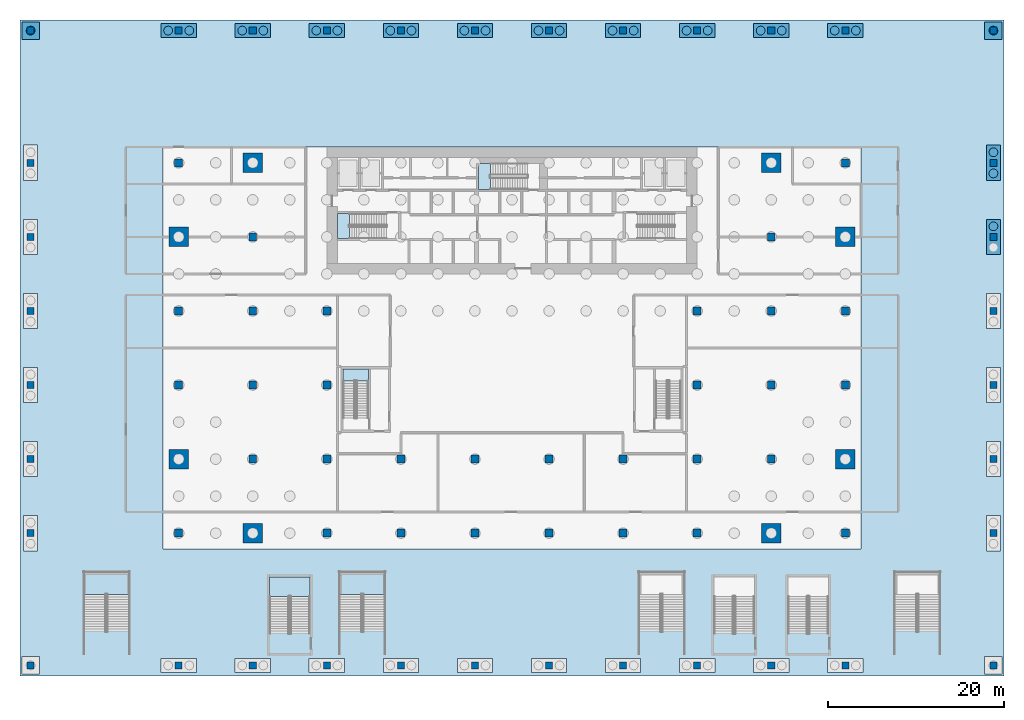
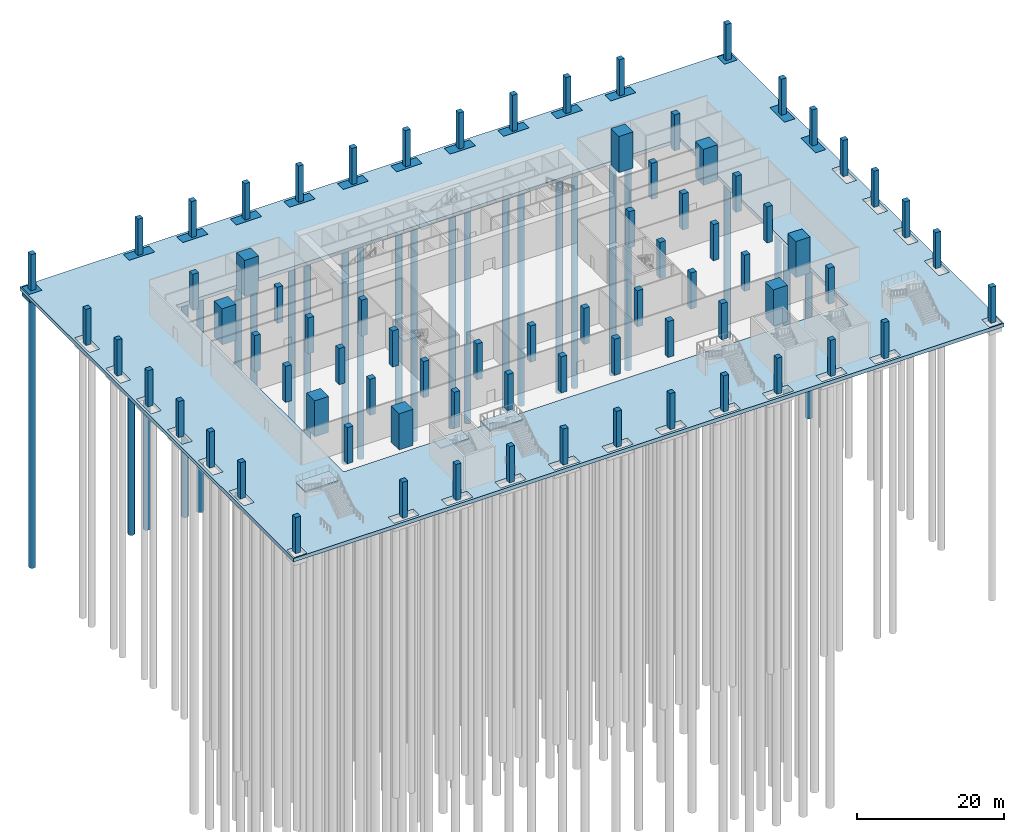
# One storey, part 2 of 16: 76 columns, 25 piles, 14 footings, 7 slabs, 6 elements without a shape of their own.
"""IFC4 building model written with IfcOpenShell, lengths in metres."""

from ifc_helpers import new_model, si_unit, direction, frame, origin, origin_2d, place, context, subcontext, project, spatial, polyline, rectangle, circle, outline, extrude, material, layer, layer_set, material_profile, profile_set, type_object, element, aggregate, save


model = new_model("IFC4")

# Units and contexts
model_context = context("Model", 3, precision=1e-05, world=origin(), true_north=direction((0.0, 1.0)))
body_context = subcontext(model_context, "Body", "Model", "MODEL_VIEW")
ifc_project = project(units=[si_unit("LENGTHUNIT", "METRE"), si_unit("AREAUNIT", "SQUARE_METRE"), si_unit("VOLUMEUNIT", "CUBIC_METRE"), si_unit("PLANEANGLEUNIT", "RADIAN"), si_unit("MASSUNIT", "GRAM", prefix="KILO")], contexts=[model_context])

# Site, building, storey
site_placement = place(None, origin())
site = spatial("IfcSite", under=ifc_project, at=site_placement, CompositionType="ELEMENT")
building_placement = place(site_placement, origin())
building = spatial("IfcBuilding", under=site, at=building_placement, Name="Saffron Gate Tower", CompositionType="ELEMENT")
storey_placement = place(building_placement, frame((0.0, 0.0, -6.0)))
storey = spatial("IfcBuildingStorey", under=building, at=storey_placement, Name="B1", CompositionType="ELEMENT", Elevation=-6.0)

# Piles
ifc_material_1 = material(Name="Concrete C40", Category="concrete")
ifc_material_profile_1 = material_profile(ifc_material_1, circle(Radius=0.5, at=origin_2d()))
ifc_profile_set_1 = profile_set([ifc_material_profile_1], Name="Concrete C40")
pile_type = type_object("IfcPileType", Name="P2 BORED PILE D1000 CONCRETE C40", PredefinedType="BORED", material=ifc_profile_set_1)
for number, where, z_axis, x_axis, name in (
    (1, (33.0, 88.800048828125, -1.10009765625), (0.0, 0.0, -1.0), (1.0, 0.0, 0.0), "P2 BORED PILE"),
    (2, (48.60009765625, 88.800048828125, -1.10009765625), (0.0, 0.0, -1.0), (1.0, 0.0, 0.0), "P2 BORED PILE"),
    (3, (51.0, 88.800048828125, -1.10009765625), (0.0, 0.0, -1.0), (1.0, 0.0, 0.0), "P2 BORED PILE"),
    (4, (57.0, 88.800048828125, -1.10009765625), (0.0, 0.0, -1.0), (1.0, 0.0, 0.0), "P2 BORED PILE"),
    (5, (59.39990234375, 88.800048828125, -1.10009765625), (0.0, 0.0, -1.0), (1.0, 0.0, 0.0), "P2 BORED PILE"),
    (6, (65.39990234375, 88.800048828125, -1.10009765625), (0.0, 0.0, -1.0), (1.0, 0.0, 0.0), "P2 BORED PILE"),
    (7, (67.800048828125, 88.800048828125, -1.10009765625), (0.0, 0.0, -1.0), (1.0, 0.0, 0.0), "P2 BORED PILE"),
    (8, (73.800048828125, 88.800048828125, -1.10009765625), (0.0, 0.0, -1.0), (1.0, 0.0, 0.0), "P2 BORED PILE"),
    (9, (76.199951171875, 88.800048828125, -1.10009765625), (0.0, 0.0, -1.0), (1.0, 0.0, 0.0), "P2 BORED PILE"),
    (10, (82.199951171875, 88.800048828125, -1.10009765625), (0.0, 0.0, -1.0), (1.0, 0.0, 0.0), "P2 BORED PILE"),
    (11, (84.60009765625, 88.800048828125, -1.10009765625), (0.0, 0.0, -1.0), (1.0, 0.0, 0.0), "P2 BORED PILE"),
    (12, (90.60009765625, 88.800048828125, -1.10009765625), (0.0, 0.0, -1.0), (1.0, 0.0, 0.0), "P2 BORED PILE"),
    (13, (93.0, 88.800048828125, -1.10009765625), (0.0, 0.0, -1.0), (1.0, 0.0, 0.0), "P2 BORED PILE"),
    (14, (99.0, 88.800048828125, -1.10009765625), (0.0, 0.0, -1.0), (1.0, 0.0, 0.0), "P2 BORED PILE"),
    (15, (101.39990234375, 88.800048828125, -1.10009765625), (0.0, 0.0, -1.0), (1.0, 0.0, 0.0), "P2 BORED PILE"),
    (16, (107.39990234375, 88.800048828125, -1.10009765625), (0.0, 0.0, -1.0), (1.0, 0.0, 0.0), "P2 BORED PILE"),
    (17, (109.800048828125, 88.800048828125, -1.10009765625), (0.0, 0.0, -1.0), (1.0, 0.0, 0.0), "P2 BORED PILE"),
    (18, (115.800048828125, 88.800048828125, -1.10009765625), (0.0, 0.0, -1.0), (1.0, 0.0, 0.0), "P2 BORED PILE"),
    (19, (118.199951171875, 88.800048828125, -1.10009765625), (0.0, 0.0, -1.0), (1.0, 0.0, 0.0), "P2 BORED PILE"),
    (20, (124.199951171875, 88.800048828125, -1.10009765625), (0.0, 0.0, -1.0), (1.0, 0.0, 0.0), "P2 BORED PILE"),
    (21, (126.60009765625, 88.800048828125, -1.10009765625), (0.0, 0.0, -1.0), (1.0, 0.0, 0.0), "P2 BORED PILE"),
    (22, (142.199951171875, 88.800048828125, -1.10009765625), (0.0, 0.0, -1.0), (1.0, 0.0, 0.0), "P2 BORED PILE"),
    (23, (142.199951171875, 66.60009765625, -1.10009765625), (0.0, 0.0, -1.0), (1.0, 0.0, 0.0), "P2 BORED PILE"),
    (24, (142.199951171875, 72.60009765625, -1.10009765625), (0.0, 0.0, -1.0), (1.0, 0.0, 0.0), "P2 BORED PILE"),
    (25, (142.199951171875, 75.0, -1.10009765625), (0.0, 0.0, -1.0), (1.0, 0.0, 0.0), "P2 BORED PILE"),
):
    element("IfcPile", number, at=place(storey_placement, frame(where, z_axis=z_axis, x_axis=x_axis)), inside=storey, type_object=pile_type, Name=name, PredefinedType="BORED", context=body_context, shape_type="SweptSolid", body=[
        extrude(circle(Radius=0.5, at=origin_2d()), origin(), (0.0, 0.0, 1.0), 45.0),
    ])

# Footings
footing_type_1 = type_object("IfcFootingType", Name="PC1 PILE CAP 2000x2000x1400 CONCRETE C40", PredefinedType="PILE_CAP", material=ifc_material_1)
footing_1_placement = place(storey_placement, frame((0.0, 0.0, -1.39990234375)))
element("IfcFooting", 26, at=footing_1_placement, inside=storey, type_object=footing_type_1, Name="PC1 PILE CAP RN01", PredefinedType="PILE_CAP", context=body_context, shape_type="SweptSolid", body=[
    extrude(outline(polyline([(32.0, 87.800048828125), (34.0, 87.800048828125), (34.0, 89.800048828125), (32.0, 89.800048828125), (32.0, 87.800048828125)])), origin(), (0.0, 0.0, 1.0), 1.39990234375),
])
footing_2_placement = place(storey_placement, frame((0.0, 0.0, -1.39990234375)))
element("IfcFooting", 27, at=footing_2_placement, inside=storey, type_object=footing_type_1, Name="PC1 PILE CAP RN12", PredefinedType="PILE_CAP", context=body_context, shape_type="SweptSolid", body=[
    extrude(outline(polyline([(141.199951171875, 87.800048828125), (143.199951171875, 87.800048828125), (143.199951171875, 89.800048828125), (141.199951171875, 89.800048828125), (141.199951171875, 87.800048828125)])), origin(), (0.0, 0.0, 1.0), 1.39990234375),
])
footing_type_2 = type_object("IfcFootingType", Name="PC2 PILE CAP 4000x1600x1400 CONCRETE C40", PredefinedType="PILE_CAP", material=ifc_material_1)
footing_3_placement = place(storey_placement, frame((0.0, 0.0, -1.39990234375)))
element("IfcFooting", 28, at=footing_3_placement, inside=storey, type_object=footing_type_2, Name="PC2 PILE CAP RN02", PredefinedType="PILE_CAP", context=body_context, shape_type="SweptSolid", body=[
    extrude(outline(polyline([(47.800048828125, 88.0), (51.800048828125, 88.0), (51.800048828125, 89.60009765625), (47.800048828125, 89.60009765625), (47.800048828125, 88.0)])), origin(), (0.0, 0.0, 1.0), 1.39990234375),
])
footing_4_placement = place(storey_placement, frame((0.0, 0.0, -1.39990234375)))
element("IfcFooting", 29, at=footing_4_placement, inside=storey, type_object=footing_type_2, Name="PC2 PILE CAP RN03", PredefinedType="PILE_CAP", context=body_context, shape_type="SweptSolid", body=[
    extrude(outline(polyline([(56.199951171875, 88.0), (60.199951171875, 88.0), (60.199951171875, 89.60009765625), (56.199951171875, 89.60009765625), (56.199951171875, 88.0)])), origin(), (0.0, 0.0, 1.0), 1.39990234375),
])
footing_5_placement = place(storey_placement, frame((0.0, 0.0, -1.39990234375)))
element("IfcFooting", 30, at=footing_5_placement, inside=storey, type_object=footing_type_2, Name="PC2 PILE CAP RN04", PredefinedType="PILE_CAP", context=body_context, shape_type="SweptSolid", body=[
    extrude(outline(polyline([(64.60009765625, 88.0), (68.60009765625, 88.0), (68.60009765625, 89.60009765625), (64.60009765625, 89.60009765625), (64.60009765625, 88.0)])), origin(), (0.0, 0.0, 1.0), 1.39990234375),
])
footing_6_placement = place(storey_placement, frame((0.0, 0.0, -1.39990234375)))
element("IfcFooting", 31, at=footing_6_placement, inside=storey, type_object=footing_type_2, Name="PC2 PILE CAP RN05", PredefinedType="PILE_CAP", context=body_context, shape_type="SweptSolid", body=[
    extrude(outline(polyline([(73.0, 88.0), (77.0, 88.0), (77.0, 89.60009765625), (73.0, 89.60009765625), (73.0, 88.0)])), origin(), (0.0, 0.0, 1.0), 1.39990234375),
])
footing_7_placement = place(storey_placement, frame((0.0, 0.0, -1.39990234375)))
element("IfcFooting", 32, at=footing_7_placement, inside=storey, type_object=footing_type_2, Name="PC2 PILE CAP RN06", PredefinedType="PILE_CAP", context=body_context, shape_type="SweptSolid", body=[
    extrude(outline(polyline([(81.39990234375, 88.0), (85.39990234375, 88.0), (85.39990234375, 89.60009765625), (81.39990234375, 89.60009765625), (81.39990234375, 88.0)])), origin(), (0.0, 0.0, 1.0), 1.39990234375),
])
footing_8_placement = place(storey_placement, frame((0.0, 0.0, -1.39990234375)))
element("IfcFooting", 33, at=footing_8_placement, inside=storey, type_object=footing_type_2, Name="PC2 PILE CAP RN07", PredefinedType="PILE_CAP", context=body_context, shape_type="SweptSolid", body=[
    extrude(outline(polyline([(89.800048828125, 88.0), (93.800048828125, 88.0), (93.800048828125, 89.60009765625), (89.800048828125, 89.60009765625), (89.800048828125, 88.0)])), origin(), (0.0, 0.0, 1.0), 1.39990234375),
])
footing_9_placement = place(storey_placement, frame((0.0, 0.0, -1.39990234375)))
element("IfcFooting", 34, at=footing_9_placement, inside=storey, type_object=footing_type_2, Name="PC2 PILE CAP RN08", PredefinedType="PILE_CAP", context=body_context, shape_type="SweptSolid", body=[
    extrude(outline(polyline([(98.199951171875, 88.0), (102.199951171875, 88.0), (102.199951171875, 89.60009765625), (98.199951171875, 89.60009765625), (98.199951171875, 88.0)])), origin(), (0.0, 0.0, 1.0), 1.39990234375),
])
footing_10_placement = place(storey_placement, frame((0.0, 0.0, -1.39990234375)))
element("IfcFooting", 35, at=footing_10_placement, inside=storey, type_object=footing_type_2, Name="PC2 PILE CAP RN09", PredefinedType="PILE_CAP", context=body_context, shape_type="SweptSolid", body=[
    extrude(outline(polyline([(106.60009765625, 88.0), (110.60009765625, 88.0), (110.60009765625, 89.60009765625), (106.60009765625, 89.60009765625), (106.60009765625, 88.0)])), origin(), (0.0, 0.0, 1.0), 1.39990234375),
])
footing_11_placement = place(storey_placement, frame((0.0, 0.0, -1.39990234375)))
element("IfcFooting", 36, at=footing_11_placement, inside=storey, type_object=footing_type_2, Name="PC2 PILE CAP RN10", PredefinedType="PILE_CAP", context=body_context, shape_type="SweptSolid", body=[
    extrude(outline(polyline([(115.0, 88.0), (119.0, 88.0), (119.0, 89.60009765625), (115.0, 89.60009765625), (115.0, 88.0)])), origin(), (0.0, 0.0, 1.0), 1.39990234375),
])
footing_12_placement = place(storey_placement, frame((0.0, 0.0, -1.39990234375)))
element("IfcFooting", 37, at=footing_12_placement, inside=storey, type_object=footing_type_2, Name="PC2 PILE CAP RN11", PredefinedType="PILE_CAP", context=body_context, shape_type="SweptSolid", body=[
    extrude(outline(polyline([(123.39990234375, 88.0), (127.39990234375, 88.0), (127.39990234375, 89.60009765625), (123.39990234375, 89.60009765625), (123.39990234375, 88.0)])), origin(), (0.0, 0.0, 1.0), 1.39990234375),
])
footing_13_placement = place(storey_placement, frame((0.0, 0.0, -1.39990234375)))
element("IfcFooting", 38, at=footing_13_placement, inside=storey, type_object=footing_type_2, Name="PC2 PILE CAP RE05", PredefinedType="PILE_CAP", context=body_context, shape_type="SweptSolid", body=[
    extrude(outline(polyline([(141.39990234375, 63.39990234375), (143.0, 63.39990234375), (143.0, 67.39990234375), (141.39990234375, 67.39990234375), (141.39990234375, 63.39990234375)])), origin(), (0.0, 0.0, 1.0), 1.39990234375),
])
footing_14_placement = place(storey_placement, frame((0.0, 0.0, -1.39990234375)))
element("IfcFooting", 39, at=footing_14_placement, inside=storey, type_object=footing_type_2, Name="PC2 PILE CAP RE06", PredefinedType="PILE_CAP", context=body_context, shape_type="SweptSolid", body=[
    extrude(outline(polyline([(141.39990234375, 71.800048828125), (143.0, 71.800048828125), (143.0, 75.800048828125), (141.39990234375, 75.800048828125), (141.39990234375, 71.800048828125)])), origin(), (0.0, 0.0, 1.0), 1.39990234375),
])

# Columns
ifc_material_2 = material(Name="Concrete C50", Category="concrete")
ifc_material_profile_2 = material_profile(ifc_material_2, rectangle(XDim=0.800048828125, YDim=0.800048828125, at=origin_2d()))
ifc_profile_set_2 = profile_set([ifc_material_profile_2], Name="Concrete C50")
column_type_1 = type_object("IfcColumnType", Name="C4 RC 800x800 CONCRETE C50", PredefinedType="COLUMN", material=ifc_profile_set_2)
for number, where, z_axis, x_axis, name in (
    (40, (33.0, 16.800048828125, 0.0), (0.0, 0.0, 1.0), (1.0, 0.0, 0.0), "C4 COLUMN RS01"),
    (41, (33.0, 88.800048828125, 0.0), (0.0, 0.0, 1.0), (1.0, 0.0, 0.0), "C4 COLUMN RN01"),
    (42, (49.800048828125, 16.800048828125, 0.0), (0.0, 0.0, 1.0), (1.0, 0.0, 0.0), "C4 COLUMN RS02"),
    (43, (49.800048828125, 88.800048828125, 0.0), (0.0, 0.0, 1.0), (1.0, 0.0, 0.0), "C4 COLUMN RN02"),
    (44, (58.199951171875, 16.800048828125, 0.0), (0.0, 0.0, 1.0), (1.0, 0.0, 0.0), "C4 COLUMN RS03"),
    (45, (58.199951171875, 88.800048828125, 0.0), (0.0, 0.0, 1.0), (1.0, 0.0, 0.0), "C4 COLUMN RN03"),
    (46, (66.60009765625, 16.800048828125, 0.0), (0.0, 0.0, 1.0), (1.0, 0.0, 0.0), "C4 COLUMN RS04"),
    (47, (66.60009765625, 88.800048828125, 0.0), (0.0, 0.0, 1.0), (1.0, 0.0, 0.0), "C4 COLUMN RN04"),
    (48, (75.0, 16.800048828125, 0.0), (0.0, 0.0, 1.0), (1.0, 0.0, 0.0), "C4 COLUMN RS05"),
    (49, (75.0, 88.800048828125, 0.0), (0.0, 0.0, 1.0), (1.0, 0.0, 0.0), "C4 COLUMN RN05"),
    (50, (83.39990234375, 16.800048828125, 0.0), (0.0, 0.0, 1.0), (1.0, 0.0, 0.0), "C4 COLUMN RS06"),
    (51, (83.39990234375, 88.800048828125, 0.0), (0.0, 0.0, 1.0), (1.0, 0.0, 0.0), "C4 COLUMN RN06"),
    (52, (91.800048828125, 16.800048828125, 0.0), (0.0, 0.0, 1.0), (1.0, 0.0, 0.0), "C4 COLUMN RS07"),
    (53, (91.800048828125, 88.800048828125, 0.0), (0.0, 0.0, 1.0), (1.0, 0.0, 0.0), "C4 COLUMN RN07"),
    (54, (100.199951171875, 16.800048828125, 0.0), (0.0, 0.0, 1.0), (1.0, 0.0, 0.0), "C4 COLUMN RS08"),
    (55, (100.199951171875, 88.800048828125, 0.0), (0.0, 0.0, 1.0), (1.0, 0.0, 0.0), "C4 COLUMN RN08"),
    (56, (108.60009765625, 16.800048828125, 0.0), (0.0, 0.0, 1.0), (1.0, 0.0, 0.0), "C4 COLUMN RS09"),
    (57, (108.60009765625, 88.800048828125, 0.0), (0.0, 0.0, 1.0), (1.0, 0.0, 0.0), "C4 COLUMN RN09"),
    (58, (117.0, 16.800048828125, 0.0), (0.0, 0.0, 1.0), (1.0, 0.0, 0.0), "C4 COLUMN RS10"),
    (59, (117.0, 88.800048828125, 0.0), (0.0, 0.0, 1.0), (1.0, 0.0, 0.0), "C4 COLUMN RN10"),
    (60, (125.39990234375, 16.800048828125, 0.0), (0.0, 0.0, 1.0), (1.0, 0.0, 0.0), "C4 COLUMN RS11"),
    (61, (125.39990234375, 88.800048828125, 0.0), (0.0, 0.0, 1.0), (1.0, 0.0, 0.0), "C4 COLUMN RN11"),
    (62, (142.199951171875, 16.800048828125, 0.0), (0.0, 0.0, 1.0), (1.0, 0.0, 0.0), "C4 COLUMN RS12"),
    (63, (142.199951171875, 88.800048828125, 0.0), (0.0, 0.0, 1.0), (1.0, 0.0, 0.0), "C4 COLUMN RN12"),
    (64, (33.0, 31.800048828125, 0.0), (0.0, 0.0, 1.0), (1.0, 0.0, 0.0), "C4 COLUMN RW01"),
    (65, (142.199951171875, 31.800048828125, 0.0), (0.0, 0.0, 1.0), (1.0, 0.0, 0.0), "C4 COLUMN RE01"),
    (66, (33.0, 40.199951171875, 0.0), (0.0, 0.0, 1.0), (1.0, 0.0, 0.0), "C4 COLUMN RW02"),
    (67, (142.199951171875, 40.199951171875, 0.0), (0.0, 0.0, 1.0), (1.0, 0.0, 0.0), "C4 COLUMN RE02"),
    (68, (33.0, 48.60009765625, 0.0), (0.0, 0.0, 1.0), (1.0, 0.0, 0.0), "C4 COLUMN RW03"),
    (69, (142.199951171875, 48.60009765625, 0.0), (0.0, 0.0, 1.0), (1.0, 0.0, 0.0), "C4 COLUMN RE03"),
    (70, (33.0, 57.0, 0.0), (0.0, 0.0, 1.0), (1.0, 0.0, 0.0), "C4 COLUMN RW04"),
    (71, (142.199951171875, 57.0, 0.0), (0.0, 0.0, 1.0), (1.0, 0.0, 0.0), "C4 COLUMN RE04"),
    (72, (33.0, 65.39990234375, 0.0), (0.0, 0.0, 1.0), (1.0, 0.0, 0.0), "C4 COLUMN RW05"),
    (73, (142.199951171875, 65.39990234375, 0.0), (0.0, 0.0, 1.0), (1.0, 0.0, 0.0), "C4 COLUMN RE05"),
    (74, (33.0, 73.800048828125, 0.0), (0.0, 0.0, 1.0), (1.0, 0.0, 0.0), "C4 COLUMN RW06"),
    (75, (142.199951171875, 73.800048828125, 0.0), (0.0, 0.0, 1.0), (1.0, 0.0, 0.0), "C4 COLUMN RE06"),
):
    element("IfcColumn", number, at=place(storey_placement, frame(where, z_axis=z_axis, x_axis=x_axis)), inside=storey, type_object=column_type_1, Name=name, PredefinedType="COLUMN", context=body_context, shape_type="SweptSolid", body=[
        extrude(rectangle(XDim=0.800048828125, YDim=0.800048828125, at=origin_2d()), origin(), (0.0, 0.0, 1.0), 6.0),
    ])
ifc_material_3 = material(Name="Concrete C60", Category="concrete")
ifc_material_profile_3 = material_profile(ifc_material_3, rectangle(XDim=0.89990234375, YDim=0.89990234375, at=origin_2d()))
ifc_profile_set_3 = profile_set([ifc_material_profile_3], Name="Concrete C60")
column_type_2 = type_object("IfcColumnType", Name="C6 RC 900x900 CONCRETE C60", PredefinedType="COLUMN", material=ifc_profile_set_3)
for number, where, z_axis, x_axis, name in (
    (76, (49.800048828125, 31.800048828125, 0.0), (0.0, 0.0, 1.0), (1.0, 0.0, 0.0), "C6 COLUMN X1-A"),
    (77, (49.800048828125, 48.60009765625, 0.0), (0.0, 0.0, 1.0), (1.0, 0.0, 0.0), "C6 COLUMN X1-C"),
    (78, (49.800048828125, 57.0, 0.0), (0.0, 0.0, 1.0), (1.0, 0.0, 0.0), "C6 COLUMN X1-D"),
    (79, (49.800048828125, 73.800048828125, 0.0), (0.0, 0.0, 1.0), (1.0, 0.0, 0.0), "C6 COLUMN X1-F"),
    (80, (58.199951171875, 40.199951171875, 0.0), (0.0, 0.0, 1.0), (1.0, 0.0, 0.0), "C6 COLUMN X2-B"),
    (81, (58.199951171875, 48.60009765625, 0.0), (0.0, 0.0, 1.0), (1.0, 0.0, 0.0), "C6 COLUMN X2-C"),
    (82, (58.199951171875, 57.0, 0.0), (0.0, 0.0, 1.0), (1.0, 0.0, 0.0), "C6 COLUMN X2-D"),
    (83, (58.199951171875, 65.39990234375, 0.0), (0.0, 0.0, 1.0), (1.0, 0.0, 0.0), "C6 COLUMN X2-E"),
    (84, (66.60009765625, 31.800048828125, 0.0), (0.0, 0.0, 1.0), (1.0, 0.0, 0.0), "C6 COLUMN X3-A"),
    (85, (66.60009765625, 40.199951171875, 0.0), (0.0, 0.0, 1.0), (1.0, 0.0, 0.0), "C6 COLUMN X3-B"),
    (86, (66.60009765625, 48.60009765625, 0.0), (0.0, 0.0, 1.0), (1.0, 0.0, 0.0), "C6 COLUMN X3-C"),
    (87, (66.60009765625, 57.0, 0.0), (0.0, 0.0, 1.0), (1.0, 0.0, 0.0), "C6 COLUMN X3-D"),
    (88, (75.0, 31.800048828125, 0.0), (0.0, 0.0, 1.0), (1.0, 0.0, 0.0), "C6 COLUMN X4-A"),
    (89, (75.0, 40.199951171875, 0.0), (0.0, 0.0, 1.0), (1.0, 0.0, 0.0), "C6 COLUMN X4-B"),
    (90, (83.39990234375, 31.800048828125, 0.0), (0.0, 0.0, 1.0), (1.0, 0.0, 0.0), "C6 COLUMN X5-A"),
    (91, (83.39990234375, 40.199951171875, 0.0), (0.0, 0.0, 1.0), (1.0, 0.0, 0.0), "C6 COLUMN X5-B"),
    (92, (91.800048828125, 31.800048828125, 0.0), (0.0, 0.0, 1.0), (1.0, 0.0, 0.0), "C6 COLUMN X6-A"),
    (93, (91.800048828125, 40.199951171875, 0.0), (0.0, 0.0, 1.0), (1.0, 0.0, 0.0), "C6 COLUMN X6-B"),
    (94, (100.199951171875, 31.800048828125, 0.0), (0.0, 0.0, 1.0), (1.0, 0.0, 0.0), "C6 COLUMN X7-A"),
    (95, (100.199951171875, 40.199951171875, 0.0), (0.0, 0.0, 1.0), (1.0, 0.0, 0.0), "C6 COLUMN X7-B"),
    (96, (108.60009765625, 31.800048828125, 0.0), (0.0, 0.0, 1.0), (1.0, 0.0, 0.0), "C6 COLUMN X8-A"),
    (97, (108.60009765625, 40.199951171875, 0.0), (0.0, 0.0, 1.0), (1.0, 0.0, 0.0), "C6 COLUMN X8-B"),
    (98, (108.60009765625, 48.60009765625, 0.0), (0.0, 0.0, 1.0), (1.0, 0.0, 0.0), "C6 COLUMN X8-C"),
    (99, (108.60009765625, 57.0, 0.0), (0.0, 0.0, 1.0), (1.0, 0.0, 0.0), "C6 COLUMN X8-D"),
    (100, (117.0, 40.199951171875, 0.0), (0.0, 0.0, 1.0), (1.0, 0.0, 0.0), "C6 COLUMN X9-B"),
    (101, (117.0, 48.60009765625, 0.0), (0.0, 0.0, 1.0), (1.0, 0.0, 0.0), "C6 COLUMN X9-C"),
    (102, (117.0, 57.0, 0.0), (0.0, 0.0, 1.0), (1.0, 0.0, 0.0), "C6 COLUMN X9-D"),
    (103, (117.0, 65.39990234375, 0.0), (0.0, 0.0, 1.0), (1.0, 0.0, 0.0), "C6 COLUMN X9-E"),
    (104, (125.39990234375, 31.800048828125, 0.0), (0.0, 0.0, 1.0), (1.0, 0.0, 0.0), "C6 COLUMN X10-A"),
    (105, (125.39990234375, 48.60009765625, 0.0), (0.0, 0.0, 1.0), (1.0, 0.0, 0.0), "C6 COLUMN X10-C"),
    (106, (125.39990234375, 57.0, 0.0), (0.0, 0.0, 1.0), (1.0, 0.0, 0.0), "C6 COLUMN X10-D"),
    (107, (125.39990234375, 73.800048828125, 0.0), (0.0, 0.0, 1.0), (1.0, 0.0, 0.0), "C6 COLUMN X10-F"),
):
    element("IfcColumn", number, at=place(storey_placement, frame(where, z_axis=z_axis, x_axis=x_axis)), inside=storey, type_object=column_type_2, Name=name, PredefinedType="COLUMN", context=body_context, shape_type="SweptSolid", body=[
        extrude(rectangle(XDim=0.89990234375, YDim=0.89990234375, at=origin_2d()), origin(), (0.0, 0.0, 1.0), 6.0),
    ])
ifc_material_4 = material(Name="Concrete C80", Category="concrete")
ifc_material_profile_4 = material_profile(ifc_material_4, rectangle(XDim=2.199951171875, YDim=2.199951171875, at=origin_2d()))
ifc_profile_set_4 = profile_set([ifc_material_profile_4], Name="Concrete C80")
column_type_3 = type_object("IfcColumnType", Name="MC4 RC 2200x2200 CONCRETE C80", PredefinedType="COLUMN", material=ifc_profile_set_4)
for number, where, z_axis, x_axis, name in (
    (108, (49.800048828125, 40.199951171875, 0.0), (0.0, 0.0, 1.0), (1.0, 0.0, 0.0), "MC4 MEGA COLUMN X1-B"),
    (109, (49.800048828125, 65.39990234375, 0.0), (0.0, 0.0, 1.0), (1.0, 0.0, 0.0), "MC4 MEGA COLUMN X1-E"),
    (110, (58.199951171875, 31.800048828125, 0.0), (0.0, 0.0, 1.0), (1.0, 0.0, 0.0), "MC4 MEGA COLUMN X2-A"),
    (111, (58.199951171875, 73.800048828125, 0.0), (0.0, 0.0, 1.0), (1.0, 0.0, 0.0), "MC4 MEGA COLUMN X2-F"),
    (112, (117.0, 31.800048828125, 0.0), (0.0, 0.0, 1.0), (1.0, 0.0, 0.0), "MC4 MEGA COLUMN X9-A"),
    (113, (117.0, 73.800048828125, 0.0), (0.0, 0.0, 1.0), (1.0, 0.0, 0.0), "MC4 MEGA COLUMN X9-F"),
    (114, (125.39990234375, 40.199951171875, 0.0), (0.0, 0.0, 1.0), (1.0, 0.0, 0.0), "MC4 MEGA COLUMN X10-B"),
    (115, (125.39990234375, 65.39990234375, 0.0), (0.0, 0.0, 1.0), (1.0, 0.0, 0.0), "MC4 MEGA COLUMN X10-E"),
):
    element("IfcColumn", number, at=place(storey_placement, frame(where, z_axis=z_axis, x_axis=x_axis)), inside=storey, type_object=column_type_3, Name=name, PredefinedType="COLUMN", context=body_context, shape_type="SweptSolid", body=[
        extrude(rectangle(XDim=2.199951171875, YDim=2.199951171875, at=origin_2d()), origin(), (0.0, 0.0, 1.0), 6.0),
    ])

# Slab
ifc_layer_1 = layer(ifc_material_1, 0.60009765625)
ifc_layer_set_1 = layer_set([ifc_layer_1], Name="S1 BASESLAB SLAB 600 CONCRETE C40")
slab_type_1 = type_object("IfcSlabType", Name="S1 BASESLAB SLAB 600 CONCRETE C40", PredefinedType="BASESLAB", material=ifc_layer_set_1)
slab_1_placement = place(storey_placement, frame((0.0, 0.0, -0.60009765625)))
element("IfcSlab", 116, at=slab_1_placement, inside=storey, type_object=slab_type_1, Name="S1 BASE SLAB", PredefinedType="BASESLAB", context=body_context, shape_type="SweptSolid", body=[
    extrude(outline(polyline([(31.800048828125, 15.60009765625), (143.39990234375, 15.60009765625), (143.39990234375, 90.0), (31.800048828125, 90.0), (31.800048828125, 15.60009765625)]), holes=[polyline([(32.0, 15.800048828125), (32.0, 17.800048828125), (34.0, 17.800048828125), (34.0, 15.800048828125), (32.0, 15.800048828125)]), polyline([(32.0, 87.800048828125), (32.0, 89.800048828125), (34.0, 89.800048828125), (34.0, 87.800048828125), (32.0, 87.800048828125)]), polyline([(32.199951171875, 29.800048828125), (32.199951171875, 33.800048828125), (33.800048828125, 33.800048828125), (33.800048828125, 29.800048828125), (32.199951171875, 29.800048828125)]), polyline([(32.199951171875, 38.199951171875), (32.199951171875, 42.199951171875), (33.800048828125, 42.199951171875), (33.800048828125, 38.199951171875), (32.199951171875, 38.199951171875)]), polyline([(32.199951171875, 46.60009765625), (32.199951171875, 50.60009765625), (33.800048828125, 50.60009765625), (33.800048828125, 46.60009765625), (32.199951171875, 46.60009765625)]), polyline([(32.199951171875, 55.0), (32.199951171875, 59.0), (33.800048828125, 59.0), (33.800048828125, 55.0), (32.199951171875, 55.0)]), polyline([(32.199951171875, 63.39990234375), (32.199951171875, 67.39990234375), (33.800048828125, 67.39990234375), (33.800048828125, 63.39990234375), (32.199951171875, 63.39990234375)]), polyline([(32.199951171875, 71.800048828125), (32.199951171875, 75.800048828125), (33.800048828125, 75.800048828125), (33.800048828125, 71.800048828125), (32.199951171875, 71.800048828125)]), polyline([(47.800048828125, 16.0), (47.800048828125, 17.60009765625), (51.800048828125, 17.60009765625), (51.800048828125, 16.0), (47.800048828125, 16.0)]), polyline([(47.800048828125, 88.0), (47.800048828125, 89.60009765625), (51.800048828125, 89.60009765625), (51.800048828125, 88.0), (47.800048828125, 88.0)]), polyline([(48.0, 30.0), (48.0, 75.60009765625), (127.199951171875, 75.60009765625), (127.199951171875, 30.0), (48.0, 30.0)]), polyline([(56.199951171875, 16.0), (56.199951171875, 17.60009765625), (60.199951171875, 17.60009765625), (60.199951171875, 16.0), (56.199951171875, 16.0)]), polyline([(56.199951171875, 88.0), (56.199951171875, 89.60009765625), (60.199951171875, 89.60009765625), (60.199951171875, 88.0), (56.199951171875, 88.0)]), polyline([(64.60009765625, 16.0), (64.60009765625, 17.60009765625), (68.60009765625, 17.60009765625), (68.60009765625, 16.0), (64.60009765625, 16.0)]), polyline([(64.60009765625, 88.0), (64.60009765625, 89.60009765625), (68.60009765625, 89.60009765625), (68.60009765625, 88.0), (64.60009765625, 88.0)]), polyline([(73.0, 16.0), (73.0, 17.60009765625), (77.0, 17.60009765625), (77.0, 16.0), (73.0, 16.0)]), polyline([(73.0, 88.0), (73.0, 89.60009765625), (77.0, 89.60009765625), (77.0, 88.0), (73.0, 88.0)]), polyline([(81.39990234375, 16.0), (81.39990234375, 17.60009765625), (85.39990234375, 17.60009765625), (85.39990234375, 16.0), (81.39990234375, 16.0)]), polyline([(81.39990234375, 88.0), (81.39990234375, 89.60009765625), (85.39990234375, 89.60009765625), (85.39990234375, 88.0), (81.39990234375, 88.0)]), polyline([(89.800048828125, 16.0), (89.800048828125, 17.60009765625), (93.800048828125, 17.60009765625), (93.800048828125, 16.0), (89.800048828125, 16.0)]), polyline([(89.800048828125, 88.0), (89.800048828125, 89.60009765625), (93.800048828125, 89.60009765625), (93.800048828125, 88.0), (89.800048828125, 88.0)]), polyline([(98.199951171875, 16.0), (98.199951171875, 17.60009765625), (102.199951171875, 17.60009765625), (102.199951171875, 16.0), (98.199951171875, 16.0)]), polyline([(98.199951171875, 88.0), (98.199951171875, 89.60009765625), (102.199951171875, 89.60009765625), (102.199951171875, 88.0), (98.199951171875, 88.0)]), polyline([(106.60009765625, 16.0), (106.60009765625, 17.60009765625), (110.60009765625, 17.60009765625), (110.60009765625, 16.0), (106.60009765625, 16.0)]), polyline([(106.60009765625, 88.0), (106.60009765625, 89.60009765625), (110.60009765625, 89.60009765625), (110.60009765625, 88.0), (106.60009765625, 88.0)]), polyline([(115.0, 16.0), (115.0, 17.60009765625), (119.0, 17.60009765625), (119.0, 16.0), (115.0, 16.0)]), polyline([(115.0, 88.0), (115.0, 89.60009765625), (119.0, 89.60009765625), (119.0, 88.0), (115.0, 88.0)]), polyline([(123.39990234375, 16.0), (123.39990234375, 17.60009765625), (127.39990234375, 17.60009765625), (127.39990234375, 16.0), (123.39990234375, 16.0)]), polyline([(123.39990234375, 88.0), (123.39990234375, 89.60009765625), (127.39990234375, 89.60009765625), (127.39990234375, 88.0), (123.39990234375, 88.0)]), polyline([(141.199951171875, 15.800048828125), (141.199951171875, 17.800048828125), (143.199951171875, 17.800048828125), (143.199951171875, 15.800048828125), (141.199951171875, 15.800048828125)]), polyline([(141.199951171875, 87.800048828125), (141.199951171875, 89.800048828125), (143.199951171875, 89.800048828125), (143.199951171875, 87.800048828125), (141.199951171875, 87.800048828125)]), polyline([(141.39990234375, 29.800048828125), (141.39990234375, 33.800048828125), (143.0, 33.800048828125), (143.0, 29.800048828125), (141.39990234375, 29.800048828125)]), polyline([(141.39990234375, 38.199951171875), (141.39990234375, 42.199951171875), (143.0, 42.199951171875), (143.0, 38.199951171875), (141.39990234375, 38.199951171875)]), polyline([(141.39990234375, 46.60009765625), (141.39990234375, 50.60009765625), (143.0, 50.60009765625), (143.0, 46.60009765625), (141.39990234375, 46.60009765625)]), polyline([(141.39990234375, 55.0), (141.39990234375, 59.0), (143.0, 59.0), (143.0, 55.0), (141.39990234375, 55.0)]), polyline([(141.39990234375, 63.39990234375), (141.39990234375, 67.39990234375), (143.0, 67.39990234375), (143.0, 63.39990234375), (141.39990234375, 63.39990234375)]), polyline([(141.39990234375, 71.800048828125), (141.39990234375, 75.800048828125), (143.0, 75.800048828125), (143.0, 71.800048828125), (141.39990234375, 71.800048828125)])]), origin(), (0.0, 0.0, 1.0), 0.60009765625),
])

# Stair, slab
stair_type_1 = type_object("IfcStairType", Name="ST1 Stair 2550 wide, 32 risers of 188", PredefinedType="HALF_TURN_STAIR", material=ifc_material_1)
stair_1_placement = place(storey_placement, origin())
stair_1 = element("IfcStair", 117, at=stair_1_placement, inside=storey, type_object=stair_type_1, Name="B1 Station stair 1", PredefinedType="HALF_TURN_STAIR")
ifc_layer_2 = layer(ifc_material_1, 0.199951171875)
ifc_layer_set_2 = layer_set([ifc_layer_2], Name="SL1 Stair landing 200")
slab_type_2 = type_object("IfcSlabType", Name="SL1 Stair landing 200", PredefinedType="LANDING", material=ifc_layer_set_2)
slab_2_placement = place(storey_placement, frame((0.0, 0.0, 2.800048828125)))
slab_2 = element("IfcSlab", 118, at=slab_2_placement, type_object=slab_type_2, Name="SS1 landing 1", PredefinedType="LANDING", context=body_context, shape_type="SweptSolid", body=[
    extrude(outline(polyline([(44.25, 24.85009765625), (44.25, 27.449951171875), (39.0, 27.449951171875), (39.0, 24.85009765625), (44.25, 24.85009765625)])), origin(), (0.0, 0.0, 1.0), 0.199951171875),
])
aggregate(stair_1, [slab_2])

stair_2_placement = place(storey_placement, origin())
stair_2 = element("IfcStair", 119, at=stair_2_placement, inside=storey, type_object=stair_type_1, Name="B1 Station stair 2", PredefinedType="HALF_TURN_STAIR")
slab_3_placement = place(storey_placement, frame((0.0, 0.0, 2.800048828125)))
slab_3 = element("IfcSlab", 120, at=slab_3_placement, type_object=slab_type_2, Name="SS2 landing 1", PredefinedType="LANDING", context=body_context, shape_type="SweptSolid", body=[
    extrude(outline(polyline([(73.25, 24.85009765625), (73.25, 27.449951171875), (68.0, 27.449951171875), (68.0, 24.85009765625), (73.25, 24.85009765625)])), origin(), (0.0, 0.0, 1.0), 0.199951171875),
])
aggregate(stair_2, [slab_3])

stair_type_2 = type_object("IfcStairType", Name="ST2 Stair 1350 wide, 32 risers of 188", PredefinedType="HALF_TURN_STAIR", material=ifc_material_1)
stair_3_placement = place(storey_placement, origin())
stair_3 = element("IfcStair", 121, at=stair_3_placement, inside=storey, type_object=stair_type_2, Name="B1 Exit stair A", PredefinedType="HALF_TURN_STAIR")
slab_4_placement = place(storey_placement, frame((0.0, 0.0, 2.800048828125)))
slab_4 = element("IfcSlab", 122, at=slab_4_placement, type_object=slab_type_2, Name="ST-A landing 1", PredefinedType="LANDING", context=body_context, shape_type="SweptSolid", body=[
    extrude(outline(polyline([(69.14990234375, 68.050048828125), (67.800048828125, 68.050048828125), (67.800048828125, 65.199951171875), (69.14990234375, 65.199951171875), (69.14990234375, 68.050048828125)])), origin(), (0.0, 0.0, 1.0), 0.199951171875),
])
aggregate(stair_3, [slab_4])

stair_4_placement = place(storey_placement, origin())
stair_4 = element("IfcStair", 123, at=stair_4_placement, inside=storey, type_object=stair_type_2, Name="B1 Exit stair C", PredefinedType="HALF_TURN_STAIR")
slab_5_placement = place(storey_placement, frame((0.0, 0.0, 2.800048828125)))
slab_5 = element("IfcSlab", 124, at=slab_5_placement, type_object=slab_type_2, Name="ST-C landing 1", PredefinedType="LANDING", context=body_context, shape_type="SweptSolid", body=[
    extrude(outline(polyline([(85.14990234375, 73.75), (83.800048828125, 73.75), (83.800048828125, 70.800048828125), (85.14990234375, 70.800048828125), (85.14990234375, 73.75)])), origin(), (0.0, 0.0, 1.0), 0.199951171875),
])
aggregate(stair_4, [slab_5])

stair_5_placement = place(storey_placement, origin())
stair_5 = element("IfcStair", 125, at=stair_5_placement, inside=storey, type_object=stair_type_2, Name="B1 Exit stair D", PredefinedType="HALF_TURN_STAIR")
slab_6_placement = place(storey_placement, frame((0.0, 0.0, 2.800048828125)))
slab_6 = element("IfcSlab", 126, at=slab_6_placement, type_object=slab_type_2, Name="ST-D landing 1", PredefinedType="LANDING", context=body_context, shape_type="SweptSolid", body=[
    extrude(outline(polyline([(71.300048828125, 49.050048828125), (71.300048828125, 50.39990234375), (68.449951171875, 50.39990234375), (68.449951171875, 49.050048828125), (71.300048828125, 49.050048828125)])), origin(), (0.0, 0.0, 1.0), 0.199951171875),
])
aggregate(stair_5, [slab_6])

stair_type_3 = type_object("IfcStairType", Name="ST12 Stair 2200 wide, 32 risers of 188", PredefinedType="HALF_TURN_STAIR", material=ifc_material_1)
stair_6_placement = place(storey_placement, origin())
stair_6 = element("IfcStair", 127, at=stair_6_placement, inside=storey, type_object=stair_type_3, Name="B1 Exit stair L", PredefinedType="HALF_TURN_STAIR")
slab_7_placement = place(storey_placement, frame((0.0, 0.0, 2.800048828125)))
slab_7 = element("IfcSlab", 128, at=slab_7_placement, type_object=slab_type_2, Name="ST-L landing 1", PredefinedType="LANDING", context=body_context, shape_type="SweptSolid", body=[
    extrude(outline(polyline([(64.675048828125, 24.60009765625), (64.675048828125, 26.800048828125), (60.125, 26.800048828125), (60.125, 24.60009765625), (64.675048828125, 24.60009765625)])), origin(), (0.0, 0.0, 1.0), 0.199951171875),
])
aggregate(stair_6, [slab_7])

save(model, "model.ifc")
